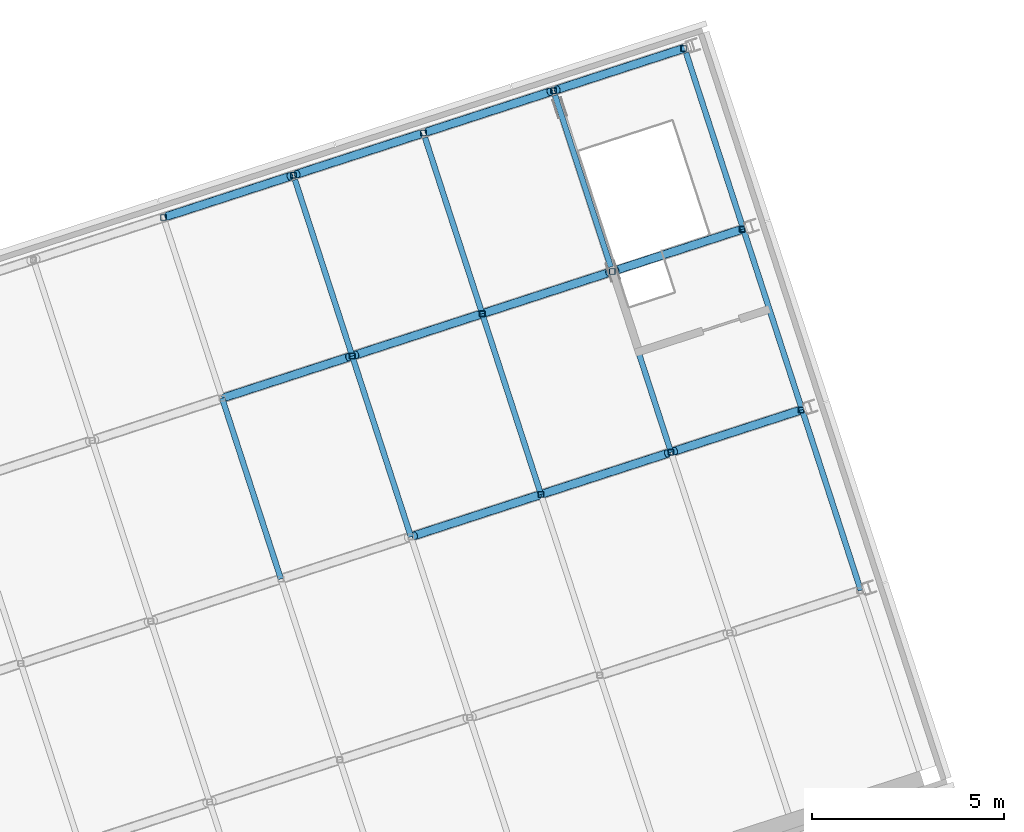
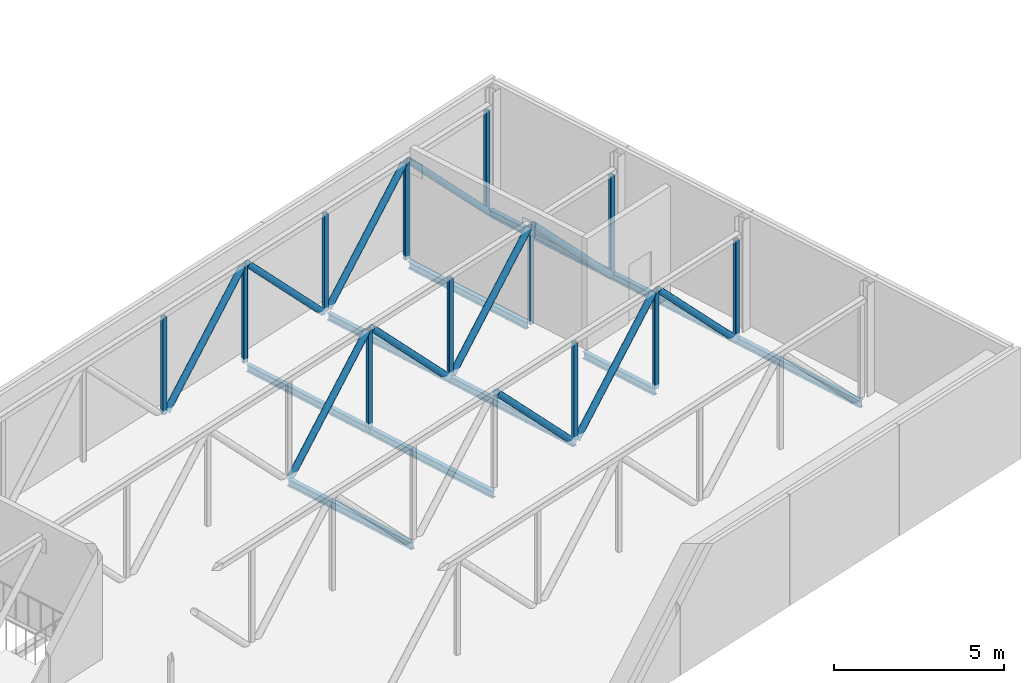
# One storey, part 12 of 52: 23 members, 10 beams.
"""IFC4 building model written with IfcOpenShell, lengths in metres."""

from ifc_helpers import new_model, si_unit, direction, frame, origin, origin_2d, place, context, subcontext, project, spatial, hollow_rectangle, hollow_circle, i_section, extrude, material, material_profile, profile_set, type_object, element, save


model = new_model("IFC4")

# Units and contexts
model_context = context("Model", 3, precision=1e-05, world=origin(), true_north=direction((0.0, 1.0)))
body_context = subcontext(model_context, "Body", "Model", "MODEL_VIEW")
ifc_project = project(units=[si_unit("LENGTHUNIT", "METRE"), si_unit("AREAUNIT", "SQUARE_METRE"), si_unit("VOLUMEUNIT", "CUBIC_METRE"), si_unit("PLANEANGLEUNIT", "RADIAN"), si_unit("MASSUNIT", "GRAM", prefix="KILO")], contexts=[model_context])

# Site, building, storey
site_placement = place(None, origin())
site = spatial("IfcSite", under=ifc_project, at=site_placement, CompositionType="ELEMENT")
building_placement = place(site_placement, origin())
building = spatial("IfcBuilding", under=site, at=building_placement, Name="Tuart Plaza Theatre", CompositionType="ELEMENT")
storey_placement = place(building_placement, frame((0.0, 0.0, 25.5)))
storey = spatial("IfcBuildingStorey", under=building, at=storey_placement, Name="L06", CompositionType="ELEMENT", Elevation=25.5)

# Beams
ifc_material_1 = material(Name="Steel Grade 300", Category="steel")
ifc_material_profile_1 = material_profile(ifc_material_1, i_section(OverallWidth=0.14599609375, OverallDepth=0.256103515625, WebThickness=0.00634765625, FlangeThickness=0.010986328125, FilletRadius=0.0087890625, at=origin_2d()), Name="250UB37.3")
ifc_profile_set_1 = profile_set([ifc_material_profile_1], Name="Steel Grade 300")
beam_type = type_object("IfcBeamType", Name="BEAM 250UB37.3", PredefinedType="BEAM", material=ifc_profile_set_1)
beam_1_placement = place(storey_placement, frame((52.016845703125, 82.716064453125, -0.278076171875), z_axis=(-0.309042578481, 0.951048203135, 0.0), x_axis=(-0.951048203135, -0.309042578481, 0.0)))
element("IfcBeam", 1, at=beam_1_placement, inside=storey, type_object=beam_type, Name="SB73", PredefinedType="BEAM", context=body_context, shape_type="SweptSolid", body=[
    extrude(i_section(OverallWidth=0.14599609375, OverallDepth=0.256103515625, WebThickness=0.00634765625, FlangeThickness=0.010986328125, FilletRadius=0.0087890625, at=origin_2d()), origin(), (0.0, 0.0, 1.0), 4.9501953125),
])
beam_2_placement = place(storey_placement, frame((55.403564453125, 83.81640625, -0.278076171875), z_axis=(-0.308997967382, 0.951062698329, 0.0), x_axis=(-0.951062698329, -0.308997967382, 0.0)))
element("IfcBeam", 2, at=beam_2_placement, inside=storey, type_object=beam_type, Name="SB77", PredefinedType="BEAM", context=body_context, shape_type="SweptSolid", body=[
    extrude(i_section(OverallWidth=0.14599609375, OverallDepth=0.256103515625, WebThickness=0.00634765625, FlangeThickness=0.010986328125, FilletRadius=0.0087890625, at=origin_2d()), origin(), (0.0, 0.0, 1.0), 4.949951171875),
])
beam_3_placement = place(storey_placement, frame((53.8740234375, 88.524169921875, -0.278076171875), z_axis=(-0.309008270648, 0.951059350762, 0.0), x_axis=(-0.951059350762, -0.309008270648, 0.0)))
element("IfcBeam", 3, at=beam_3_placement, inside=storey, type_object=beam_type, Name="SB78", PredefinedType="BEAM", context=body_context, shape_type="SweptSolid", body=[
    extrude(i_section(OverallWidth=0.14599609375, OverallDepth=0.256103515625, WebThickness=0.00634765625, FlangeThickness=0.010986328125, FilletRadius=0.0087890625, at=origin_2d()), origin(), (0.0, 0.0, 1.0), 4.824951171875),
])
beam_4_placement = place(storey_placement, frame((58.79052734375, 84.9169921875, -0.278076171875), z_axis=(-0.309057075145, 0.95104349233, 0.0), x_axis=(-0.95104349233, -0.309057075145, 0.0)))
element("IfcBeam", 4, at=beam_4_placement, inside=storey, type_object=beam_type, Name="SB81", PredefinedType="BEAM", context=body_context, shape_type="SweptSolid", body=[
    extrude(i_section(OverallWidth=0.14599609375, OverallDepth=0.256103515625, WebThickness=0.00634765625, FlangeThickness=0.010986328125, FilletRadius=0.0087890625, at=origin_2d()), origin(), (0.0, 0.0, 1.0), 4.949951171875),
])
beam_5_placement = place(storey_placement, frame((57.2607421875, 89.62451171875, -0.278076171875), z_axis=(-0.309008270648, 0.951059350762, 0.0), x_axis=(-0.951059350762, -0.309008270648, 0.0)))
element("IfcBeam", 5, at=beam_5_placement, inside=storey, type_object=beam_type, Name="SB82", PredefinedType="BEAM", context=body_context, shape_type="SweptSolid", body=[
    extrude(i_section(OverallWidth=0.14599609375, OverallDepth=0.256103515625, WebThickness=0.00634765625, FlangeThickness=0.010986328125, FilletRadius=0.0087890625, at=origin_2d()), origin(), (0.0, 0.0, 1.0), 4.824951171875),
])
beam_6_placement = place(storey_placement, frame((62.17724609375, 86.017333984375, -0.278076171875), z_axis=(-0.308996966804, 0.951063023414, 0.0), x_axis=(-0.951063023414, -0.308996966804, 0.0)))
element("IfcBeam", 6, at=beam_6_placement, inside=storey, type_object=beam_type, Name="SB85", PredefinedType="BEAM", context=body_context, shape_type="SweptSolid", body=[
    extrude(i_section(OverallWidth=0.14599609375, OverallDepth=0.256103515625, WebThickness=0.00634765625, FlangeThickness=0.010986328125, FilletRadius=0.0087890625, at=origin_2d()), origin(), (0.0, 0.0, 1.0), 2.849853515625),
])
beam_7_placement = place(storey_placement, frame((60.60888671875, 90.843994140625, -0.278076171875), z_axis=(-0.308972136407, 0.951071090363, 0.0), x_axis=(-0.951071090363, -0.308972136407, 0.0)))
element("IfcBeam", 7, at=beam_7_placement, inside=storey, type_object=beam_type, Name="SB86", PredefinedType="BEAM", context=body_context, shape_type="SweptSolid", body=[
    extrude(i_section(OverallWidth=0.14599609375, OverallDepth=0.256103515625, WebThickness=0.00634765625, FlangeThickness=0.010986328125, FilletRadius=0.0087890625, at=origin_2d()), origin(), (0.0, 0.0, 1.0), 4.699951171875),
])
beam_8_placement = place(storey_placement, frame((67.119384765625, 82.41845703125, -0.278076171875), z_axis=(-0.308997967382, 0.951062698329, 0.0), x_axis=(-0.951062698329, -0.308997967382, 0.0)))
element("IfcBeam", 8, at=beam_8_placement, inside=storey, type_object=beam_type, Name="SB88", PredefinedType="BEAM", context=body_context, shape_type="SweptSolid", body=[
    extrude(i_section(OverallWidth=0.14599609375, OverallDepth=0.256103515625, WebThickness=0.00634765625, FlangeThickness=0.010986328125, FilletRadius=0.0087890625, at=origin_2d()), origin(), (0.0, 0.0, 1.0), 4.949951171875),
])
beam_9_placement = place(storey_placement, frame((65.58984375, 87.126220703125, -0.278076171875), z_axis=(-0.309042578481, 0.951048203135, 0.0), x_axis=(-0.951048203135, -0.309042578481, 0.0)))
element("IfcBeam", 9, at=beam_9_placement, inside=storey, type_object=beam_type, Name="SB89", PredefinedType="BEAM", context=body_context, shape_type="SweptSolid", body=[
    extrude(i_section(OverallWidth=0.14599609375, OverallDepth=0.256103515625, WebThickness=0.00634765625, FlangeThickness=0.010986328125, FilletRadius=0.0087890625, at=origin_2d()), origin(), (0.0, 0.0, 1.0), 4.9501953125),
])
beam_10_placement = place(storey_placement, frame((64.06005859375, 91.833984375, -0.278076171875), z_axis=(-0.309023141632, 0.951054518908, 0.0), x_axis=(-0.951054518908, -0.309023141632, 0.0)))
element("IfcBeam", 10, at=beam_10_placement, inside=storey, type_object=beam_type, Name="SB90", PredefinedType="BEAM", context=body_context, shape_type="SweptSolid", body=[
    extrude(i_section(OverallWidth=0.14599609375, OverallDepth=0.256103515625, WebThickness=0.00634765625, FlangeThickness=0.010986328125, FilletRadius=0.0087890625, at=origin_2d()), origin(), (0.0, 0.0, 1.0), 4.82470703125),
])

# Members
ifc_material_2 = material(Name="Steel Grade C350L0", Category="steel")
ifc_material_profile_2 = material_profile(ifc_material_2, hollow_circle(Radius=0.109619140625, WallThickness=0.00830078125, at=origin_2d()), Name="219.1x8.2 CHS")
ifc_profile_set_2 = profile_set([ifc_material_profile_2], Name="Steel Grade C350L0")
member_type_1 = type_object("IfcMemberType", Name="MEMBER Brace 219.1x8.2 CHS", PredefinedType="BRACE", material=ifc_profile_set_2)
for number, where, z_axis, x_axis, name in (
    (11, (55.49462890625, 83.845947265625, 3.346923828125), (0.657359012755, 0.213598153672, -0.722672095142), (-0.309029116035, 0.951052577644, 0.0), "BR44"),
    (12, (58.85986328125, 84.939453125, -0.199951171875), (0.657359012755, 0.213598153672, 0.722672095142), (-0.309029116035, 0.951052577644, 0.0), "BR45"),
):
    element("IfcMember", number, at=place(storey_placement, frame(where, z_axis=z_axis, x_axis=x_axis)), inside=storey, type_object=member_type_1, Name=name, PredefinedType="BRACE", context=body_context, shape_type="SweptSolid", body=[
        extrude(hollow_circle(Radius=0.109619140625, WallThickness=0.00830078125, at=origin_2d()), origin(), (0.0, 0.0, 1.0), 4.907958984375),
    ])
member_1_placement = place(storey_placement, frame((62.268310546875, 86.046875, 3.346923828125), z_axis=(0.657487206385, 0.213633981174, -0.722544874404), x_axis=(-0.309021492288, 0.951055054823, 0.0)))
element("IfcMember", 13, at=member_1_placement, inside=storey, type_object=member_type_1, Name="BR46", PredefinedType="BRACE", context=body_context, shape_type="SweptSolid", body=[
    extrude(hollow_circle(Radius=0.109619140625, WallThickness=0.00830078125, at=origin_2d()), origin(), (0.0, 0.0, 1.0), 4.946044921875),
])
for number, where, z_axis, x_axis, name in (
    (14, (50.556640625, 87.4462890625, -0.199951171875), (0.657359012755, 0.213598153672, 0.722672095142), (-0.309029116035, 0.951052577644, 0.0), "BR51"),
    (15, (53.965087890625, 88.5537109375, 3.346923828125), (0.657359012755, 0.213598153672, -0.722672095142), (-0.309029116035, 0.951052577644, 0.0), "BR52"),
    (16, (57.330322265625, 89.647216796875, -0.199951171875), (0.657359012755, 0.213598153672, 0.722672095142), (-0.309029116035, 0.951052577644, 0.0), "BR53"),
):
    element("IfcMember", number, at=place(storey_placement, frame(where, z_axis=z_axis, x_axis=x_axis)), inside=storey, type_object=member_type_1, Name=name, PredefinedType="BRACE", context=body_context, shape_type="SweptSolid", body=[
        extrude(hollow_circle(Radius=0.109619140625, WallThickness=0.00830078125, at=origin_2d()), origin(), (0.0, 0.0, 1.0), 4.907958984375),
    ])
member_2_placement = place(storey_placement, frame((60.738525390625, 90.754638671875, 3.346923828125), z_axis=(0.657515227727, 0.213627047939, -0.722521425078), x_axis=(-0.309000509275, 0.951061872471, 0.0)))
element("IfcMember", 17, at=member_2_placement, inside=storey, type_object=member_type_1, Name="BR54", PredefinedType="BRACE", context=body_context, shape_type="SweptSolid", body=[
    extrude(hollow_circle(Radius=0.109619140625, WallThickness=0.00830078125, at=origin_2d()), origin(), (0.0, 0.0, 1.0), 4.9462890625),
])
for number, where, z_axis, x_axis, name in (
    (18, (49.0712890625, 92.16845703125, -0.14990234375), (0.657504502346, 0.21363599566, 0.72252853975), (-0.30901677521, 0.951056587506, 0.0), "BR59"),
    (19, (52.435302734375, 93.261474609375, 3.346923828125), (0.657504502346, 0.21363599566, -0.72252853975), (-0.30901677521, 0.951056587506, 0.0), "BR60"),
    (20, (55.844970703125, 94.369384765625, -0.14990234375), (0.657504502346, 0.21363599566, 0.72252853975), (-0.30901677521, 0.951056587506, 0.0), "BR61"),
):
    element("IfcMember", number, at=place(storey_placement, frame(where, z_axis=z_axis, x_axis=x_axis)), inside=storey, type_object=member_type_1, Name=name, PredefinedType="BRACE", context=body_context, shape_type="SweptSolid", body=[
        extrude(hollow_circle(Radius=0.109619140625, WallThickness=0.00830078125, at=origin_2d()), origin(), (0.0, 0.0, 1.0), 4.839599609375),
    ])
member_3_placement = place(storey_placement, frame((59.208984375, 95.46240234375, 3.346923828125), z_axis=(0.657470725557, 0.213634198606, -0.722559806675), x_axis=(-0.309028783273, 0.951052685769, 0.0)))
element("IfcMember", 21, at=member_3_placement, inside=storey, type_object=member_type_1, Name="BR62", PredefinedType="BRACE", context=body_context, shape_type="SweptSolid", body=[
    extrude(hollow_circle(Radius=0.109619140625, WallThickness=0.00830078125, at=origin_2d()), origin(), (0.0, 0.0, 1.0), 5.157470703125),
])
ifc_material_3 = material(Name="Steel Grade C350L0", Category="steel")
ifc_material_profile_3 = material_profile(ifc_material_3, hollow_rectangle(XDim=0.14990234375, YDim=0.14990234375, WallThickness=0.009033203125, InnerFilletRadius=0.009033203125, OuterFilletRadius=0.01806640625, at=origin_2d()), Name="150x150x9 SHS")
ifc_profile_set_3 = profile_set([ifc_material_profile_3], Name="Steel Grade C350L0")
member_type_2 = type_object("IfcMemberType", Name="MEMBER Post 150x150x9 SHS", PredefinedType="POST", material=ifc_profile_set_3)
for number, where, z_axis, x_axis, name in (
    (22, (58.79052734375, 84.9169921875, -0.14990234375), (0.0, 0.0, 1.0), (1.0, 0.0, 0.0), "PO51"),
    (23, (62.17724609375, 86.017333984375, -0.14990234375), (0.0, 0.0, 1.0), (1.0, 0.0, 0.0), "PO52"),
    (24, (65.564208984375, 87.11767578125, -0.14990234375), (0.0, 0.0, 1.0), (1.0, 0.0, 0.0), "PO53"),
    (25, (53.8740234375, 88.524169921875, -0.14990234375), (0.0, 0.0, 1.0), (1.0, 0.0, 0.0), "PO59"),
    (26, (57.2607421875, 89.62451171875, -0.14990234375), (0.0, 0.0, 1.0), (1.0, 0.0, 0.0), "PO60"),
    (27, (60.647705078125, 90.72509765625, -0.14990234375), (0.0, 0.0, 1.0), (1.0, 0.0, 0.0), "PO61"),
    (28, (64.034423828125, 91.825439453125, -0.14990234375), (0.0, 0.0, 1.0), (1.0, 0.0, 0.0), "PO62"),
    (29, (48.95751953125, 92.13134765625, -0.14990234375), (0.0, 0.0, 1.0), (1.0, 0.0, 0.0), "PO67"),
    (30, (52.34423828125, 93.23193359375, -0.14990234375), (0.0, 0.0, 1.0), (1.0, 0.0, 0.0), "PO68"),
    (31, (55.731201171875, 94.332275390625, -0.14990234375), (0.0, 0.0, 1.0), (1.0, 0.0, 0.0), "PO69"),
    (32, (59.117919921875, 95.432861328125, -0.14990234375), (0.0, 0.0, 1.0), (1.0, 0.0, 0.0), "PO70"),
    (33, (62.5048828125, 96.533203125, -0.14990234375), (0.0, 0.0, 1.0), (1.0, 0.0, 0.0), "PO71"),
):
    element("IfcMember", number, at=place(storey_placement, frame(where, z_axis=z_axis, x_axis=x_axis)), inside=storey, type_object=member_type_2, Name=name, PredefinedType="POST", context=body_context, shape_type="SweptSolid", body=[
        extrude(hollow_rectangle(XDim=0.14990234375, YDim=0.14990234375, WallThickness=0.009033203125, InnerFilletRadius=0.009033203125, OuterFilletRadius=0.01806640625, at=origin_2d()), origin(), (0.0, 0.0, 1.0), 3.496826171875),
    ])

save(model, "model.ifc")
